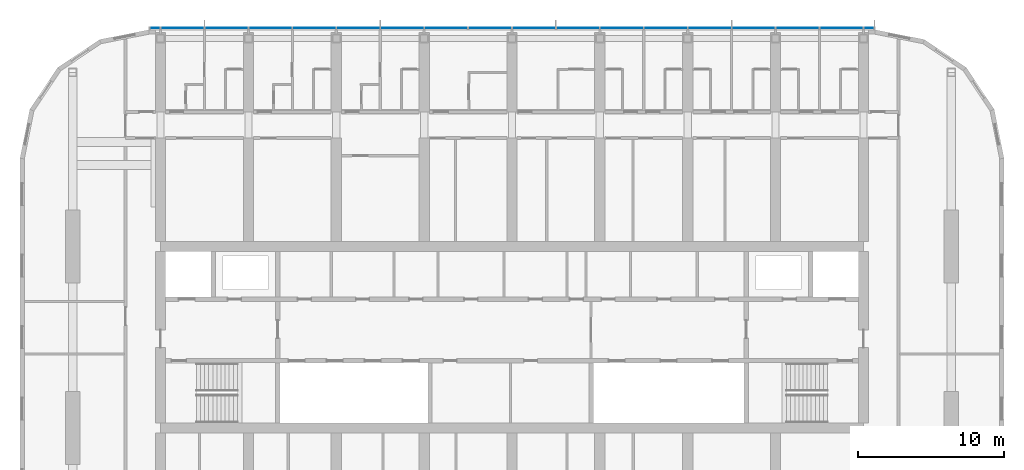
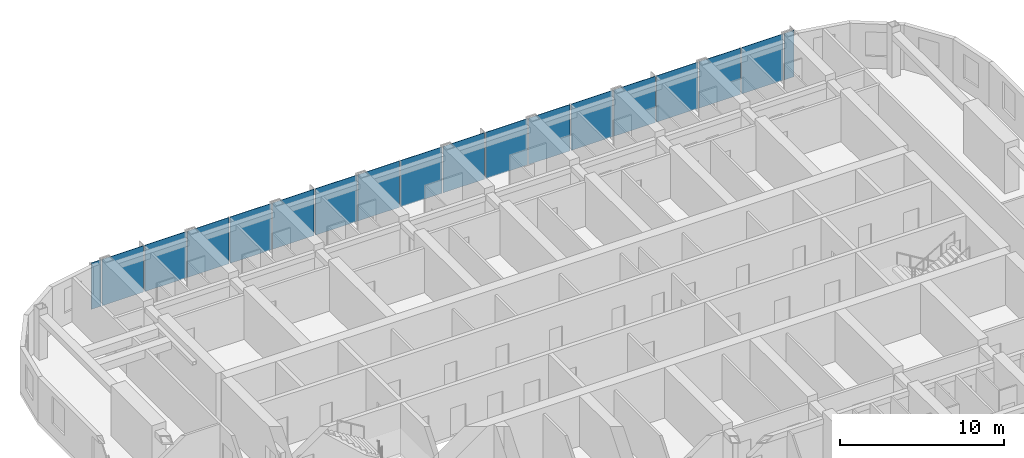
# One storey, part 9 of 24: 18 plates, 1 element without a shape of its own.
"""IFC4 building model written with IfcOpenShell, lengths in metres."""

from ifc_helpers import new_model, si_unit, direction, frame, origin, origin_2d, place, context, subcontext, project, spatial, rectangle, extrude, material, layer, layer_set, type_object, element, aggregate, save


model = new_model("IFC4")

# Units and contexts
model_context = context("Model", 3, precision=1e-05, world=origin(), true_north=direction((0.0, 1.0)))
body_context = subcontext(model_context, "Body", "Model", "MODEL_VIEW")
ifc_project = project(units=[si_unit("LENGTHUNIT", "METRE"), si_unit("AREAUNIT", "SQUARE_METRE"), si_unit("VOLUMEUNIT", "CUBIC_METRE"), si_unit("PLANEANGLEUNIT", "RADIAN"), si_unit("MASSUNIT", "GRAM", prefix="KILO")], contexts=[model_context])

# Site, building, storey
site_placement = place(None, origin())
site = spatial("IfcSite", under=ifc_project, at=site_placement, CompositionType="ELEMENT")
building_placement = place(site_placement, origin())
building = spatial("IfcBuilding", under=site, at=building_placement, Name="Orbita Commons", CompositionType="ELEMENT")
storey_placement = place(building_placement, frame((0.0, 0.0, 242.800048828125)))
storey = spatial("IfcBuildingStorey", under=building, at=storey_placement, Name="L60", CompositionType="ELEMENT", Elevation=242.800048828125)

# Curtain wall, plates
ifc_material_1 = material(Name="Anodised aluminium frame, pale silver", Category="aluminium")
curtain_wall_type = type_object("IfcCurtainWallType", Name="Unitised curtain wall CW-U, full-height vision", PredefinedType="NOTDEFINED", material=ifc_material_1)
curtain_wall_placement = place(storey_placement, origin())
curtain_wall = element("IfcCurtainWall", 1, at=curtain_wall_placement, inside=storey, type_object=curtain_wall_type, Name="Curtain wall north L60", PredefinedType="NOTDEFINED")
ifc_material_2 = material(Name="Clear double glazing", Category="glass")
ifc_layer = layer(ifc_material_2, 0.031982421875)
ifc_layer_set = layer_set([ifc_layer], Name="Clear double glazing")
plate_type = type_object("IfcPlateType", Name="Full-height vision panel, clear glazing 32", PredefinedType="CURTAIN_PANEL", material=ifc_layer_set)
plate_1_placement = place(storey_placement, frame((66.3798828125, 53.110107421875, -0.14990234375), z_axis=(0.0, 0.0, 1.0), x_axis=(-1.0, 0.0, 0.0)))
plate_1 = element("IfcPlate", 2, at=plate_1_placement, type_object=plate_type, Name="Panel 1.1 CW-L60-N", PredefinedType="CURTAIN_PANEL", context=body_context, shape_type="SweptSolid", body=[
    extrude(rectangle(XDim=0.679931640625, YDim=0.031982421875, at=origin_2d()), origin(), (0.0, 0.0, 1.0), 3.449951171875),
])
plate_2_placement = place(storey_placement, frame((64.5, 53.110107421875, -0.14990234375), z_axis=(0.0, 0.0, 1.0), x_axis=(-1.0, 0.0, 0.0)))
plate_2 = element("IfcPlate", 3, at=plate_2_placement, type_object=plate_type, Name="Panel 2.1 CW-L60-N", PredefinedType="CURTAIN_PANEL", context=body_context, shape_type="SweptSolid", body=[
    extrude(rectangle(XDim=2.919921875, YDim=0.031982421875, at=origin_2d()), origin(), (0.0, 0.0, 1.0), 3.449951171875),
])
plate_3_placement = place(storey_placement, frame((61.5, 53.110107421875, -0.14990234375), z_axis=(0.0, 0.0, 1.0), x_axis=(-1.0, 0.0, 0.0)))
plate_3 = element("IfcPlate", 4, at=plate_3_placement, type_object=plate_type, Name="Panel 3.1 CW-L60-N", PredefinedType="CURTAIN_PANEL", context=body_context, shape_type="SweptSolid", body=[
    extrude(rectangle(XDim=2.919921875, YDim=0.031982421875, at=origin_2d()), origin(), (0.0, 0.0, 1.0), 3.449951171875),
])
plate_4_placement = place(storey_placement, frame((58.5, 53.110107421875, -0.14990234375), z_axis=(0.0, 0.0, 1.0), x_axis=(-1.0, 0.0, 0.0)))
plate_4 = element("IfcPlate", 5, at=plate_4_placement, type_object=plate_type, Name="Panel 4.1 CW-L60-N", PredefinedType="CURTAIN_PANEL", context=body_context, shape_type="SweptSolid", body=[
    extrude(rectangle(XDim=2.919921875, YDim=0.031982421875, at=origin_2d()), origin(), (0.0, 0.0, 1.0), 3.449951171875),
])
plate_5_placement = place(storey_placement, frame((55.5, 53.110107421875, -0.14990234375), z_axis=(0.0, 0.0, 1.0), x_axis=(-1.0, 0.0, 0.0)))
plate_5 = element("IfcPlate", 6, at=plate_5_placement, type_object=plate_type, Name="Panel 5.1 CW-L60-N", PredefinedType="CURTAIN_PANEL", context=body_context, shape_type="SweptSolid", body=[
    extrude(rectangle(XDim=2.919921875, YDim=0.031982421875, at=origin_2d()), origin(), (0.0, 0.0, 1.0), 3.449951171875),
])
plate_6_placement = place(storey_placement, frame((52.5, 53.110107421875, -0.14990234375), z_axis=(0.0, 0.0, 1.0), x_axis=(-1.0, 0.0, 0.0)))
plate_6 = element("IfcPlate", 7, at=plate_6_placement, type_object=plate_type, Name="Panel 6.1 CW-L60-N", PredefinedType="CURTAIN_PANEL", context=body_context, shape_type="SweptSolid", body=[
    extrude(rectangle(XDim=2.919921875, YDim=0.031982421875, at=origin_2d()), origin(), (0.0, 0.0, 1.0), 3.449951171875),
])
plate_7_placement = place(storey_placement, frame((49.5, 53.110107421875, -0.14990234375), z_axis=(0.0, 0.0, 1.0), x_axis=(-1.0, 0.0, 0.0)))
plate_7 = element("IfcPlate", 8, at=plate_7_placement, type_object=plate_type, Name="Panel 7.1 CW-L60-N", PredefinedType="CURTAIN_PANEL", context=body_context, shape_type="SweptSolid", body=[
    extrude(rectangle(XDim=2.919921875, YDim=0.031982421875, at=origin_2d()), origin(), (0.0, 0.0, 1.0), 3.449951171875),
])
plate_8_placement = place(storey_placement, frame((46.5, 53.110107421875, -0.14990234375), z_axis=(0.0, 0.0, 1.0), x_axis=(-1.0, 0.0, 0.0)))
plate_8 = element("IfcPlate", 9, at=plate_8_placement, type_object=plate_type, Name="Panel 8.1 CW-L60-N", PredefinedType="CURTAIN_PANEL", context=body_context, shape_type="SweptSolid", body=[
    extrude(rectangle(XDim=2.919921875, YDim=0.031982421875, at=origin_2d()), origin(), (0.0, 0.0, 1.0), 3.449951171875),
])
plate_9_placement = place(storey_placement, frame((43.5, 53.110107421875, -0.14990234375), z_axis=(0.0, 0.0, 1.0), x_axis=(-1.0, 0.0, 0.0)))
plate_9 = element("IfcPlate", 10, at=plate_9_placement, type_object=plate_type, Name="Panel 9.1 CW-L60-N", PredefinedType="CURTAIN_PANEL", context=body_context, shape_type="SweptSolid", body=[
    extrude(rectangle(XDim=2.919921875, YDim=0.031982421875, at=origin_2d()), origin(), (0.0, 0.0, 1.0), 3.449951171875),
])
plate_10_placement = place(storey_placement, frame((40.5, 53.110107421875, -0.14990234375), z_axis=(0.0, 0.0, 1.0), x_axis=(-1.0, 0.0, 0.0)))
plate_10 = element("IfcPlate", 11, at=plate_10_placement, type_object=plate_type, Name="Panel 10.1 CW-L60-N", PredefinedType="CURTAIN_PANEL", context=body_context, shape_type="SweptSolid", body=[
    extrude(rectangle(XDim=2.919921875, YDim=0.031982421875, at=origin_2d()), origin(), (0.0, 0.0, 1.0), 3.449951171875),
])
plate_11_placement = place(storey_placement, frame((37.5, 53.110107421875, -0.14990234375), z_axis=(0.0, 0.0, 1.0), x_axis=(-1.0, 0.0, 0.0)))
plate_11 = element("IfcPlate", 12, at=plate_11_placement, type_object=plate_type, Name="Panel 11.1 CW-L60-N", PredefinedType="CURTAIN_PANEL", context=body_context, shape_type="SweptSolid", body=[
    extrude(rectangle(XDim=2.919921875, YDim=0.031982421875, at=origin_2d()), origin(), (0.0, 0.0, 1.0), 3.449951171875),
])
plate_12_placement = place(storey_placement, frame((34.5, 53.110107421875, -0.14990234375), z_axis=(0.0, 0.0, 1.0), x_axis=(-1.0, 0.0, 0.0)))
plate_12 = element("IfcPlate", 13, at=plate_12_placement, type_object=plate_type, Name="Panel 12.1 CW-L60-N", PredefinedType="CURTAIN_PANEL", context=body_context, shape_type="SweptSolid", body=[
    extrude(rectangle(XDim=2.919921875, YDim=0.031982421875, at=origin_2d()), origin(), (0.0, 0.0, 1.0), 3.449951171875),
])
plate_13_placement = place(storey_placement, frame((31.5, 53.110107421875, -0.14990234375), z_axis=(0.0, 0.0, 1.0), x_axis=(-1.0, 0.0, 0.0)))
plate_13 = element("IfcPlate", 14, at=plate_13_placement, type_object=plate_type, Name="Panel 13.1 CW-L60-N", PredefinedType="CURTAIN_PANEL", context=body_context, shape_type="SweptSolid", body=[
    extrude(rectangle(XDim=2.919921875, YDim=0.031982421875, at=origin_2d()), origin(), (0.0, 0.0, 1.0), 3.449951171875),
])
plate_14_placement = place(storey_placement, frame((28.5, 53.110107421875, -0.14990234375), z_axis=(0.0, 0.0, 1.0), x_axis=(-1.0, 0.0, 0.0)))
plate_14 = element("IfcPlate", 15, at=plate_14_placement, type_object=plate_type, Name="Panel 14.1 CW-L60-N", PredefinedType="CURTAIN_PANEL", context=body_context, shape_type="SweptSolid", body=[
    extrude(rectangle(XDim=2.919921875, YDim=0.031982421875, at=origin_2d()), origin(), (0.0, 0.0, 1.0), 3.449951171875),
])
plate_15_placement = place(storey_placement, frame((25.5, 53.110107421875, -0.14990234375), z_axis=(0.0, 0.0, 1.0), x_axis=(-1.0, 0.0, 0.0)))
plate_15 = element("IfcPlate", 16, at=plate_15_placement, type_object=plate_type, Name="Panel 15.1 CW-L60-N", PredefinedType="CURTAIN_PANEL", context=body_context, shape_type="SweptSolid", body=[
    extrude(rectangle(XDim=2.919921875, YDim=0.031982421875, at=origin_2d()), origin(), (0.0, 0.0, 1.0), 3.449951171875),
])
plate_16_placement = place(storey_placement, frame((22.5, 53.110107421875, -0.14990234375), z_axis=(0.0, 0.0, 1.0), x_axis=(-1.0, 0.0, 0.0)))
plate_16 = element("IfcPlate", 17, at=plate_16_placement, type_object=plate_type, Name="Panel 16.1 CW-L60-N", PredefinedType="CURTAIN_PANEL", context=body_context, shape_type="SweptSolid", body=[
    extrude(rectangle(XDim=2.919921875, YDim=0.031982421875, at=origin_2d()), origin(), (0.0, 0.0, 1.0), 3.449951171875),
])
plate_17_placement = place(storey_placement, frame((19.5, 53.110107421875, -0.14990234375), z_axis=(0.0, 0.0, 1.0), x_axis=(-1.0, 0.0, 0.0)))
plate_17 = element("IfcPlate", 18, at=plate_17_placement, type_object=plate_type, Name="Panel 17.1 CW-L60-N", PredefinedType="CURTAIN_PANEL", context=body_context, shape_type="SweptSolid", body=[
    extrude(rectangle(XDim=2.919921875, YDim=0.031982421875, at=origin_2d()), origin(), (0.0, 0.0, 1.0), 3.449951171875),
])
plate_18_placement = place(storey_placement, frame((17.6201171875, 53.110107421875, -0.14990234375), z_axis=(0.0, 0.0, 1.0), x_axis=(-1.0, 0.0, 0.0)))
plate_18 = element("IfcPlate", 19, at=plate_18_placement, type_object=plate_type, Name="Panel 18.1 CW-L60-N", PredefinedType="CURTAIN_PANEL", context=body_context, shape_type="SweptSolid", body=[
    extrude(rectangle(XDim=0.679931640625, YDim=0.031982421875, at=origin_2d()), origin(), (0.0, 0.0, 1.0), 3.449951171875),
])
aggregate(curtain_wall, [plate_1, plate_2, plate_3, plate_4, plate_5, plate_6, plate_7, plate_8, plate_9, plate_10, plate_11, plate_12, plate_13, plate_14, plate_15, plate_16, plate_17, plate_18])

save(model, "model.ifc")
